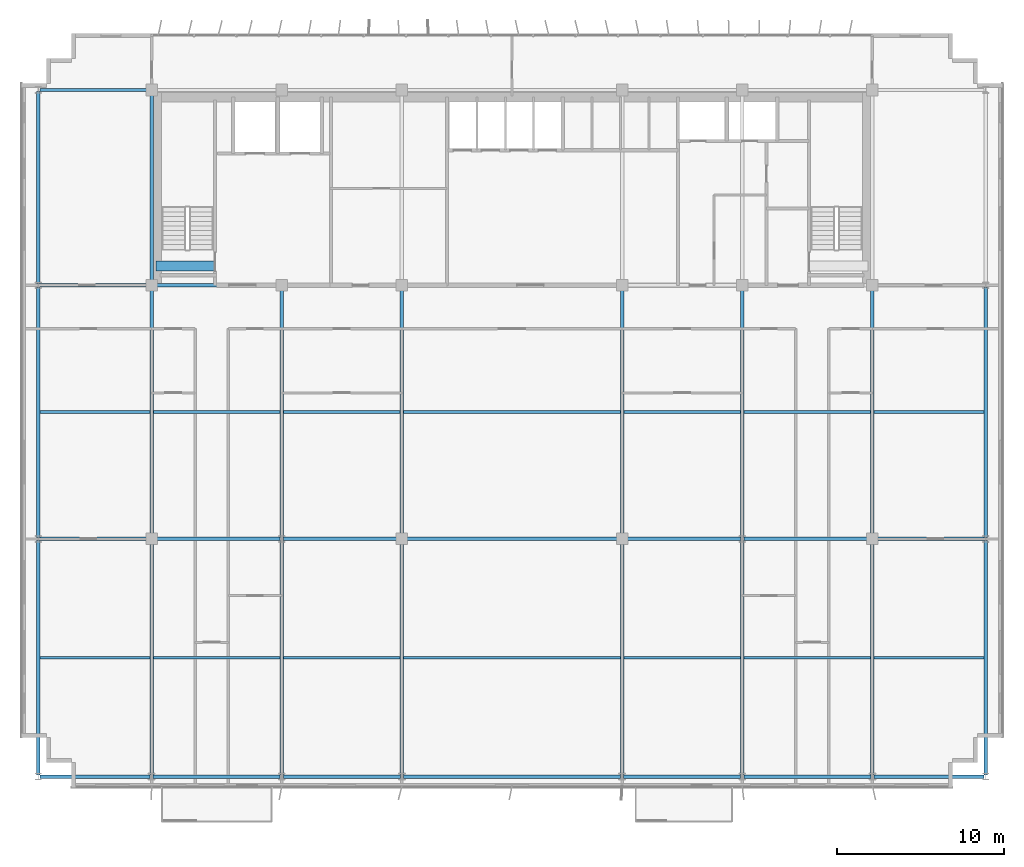
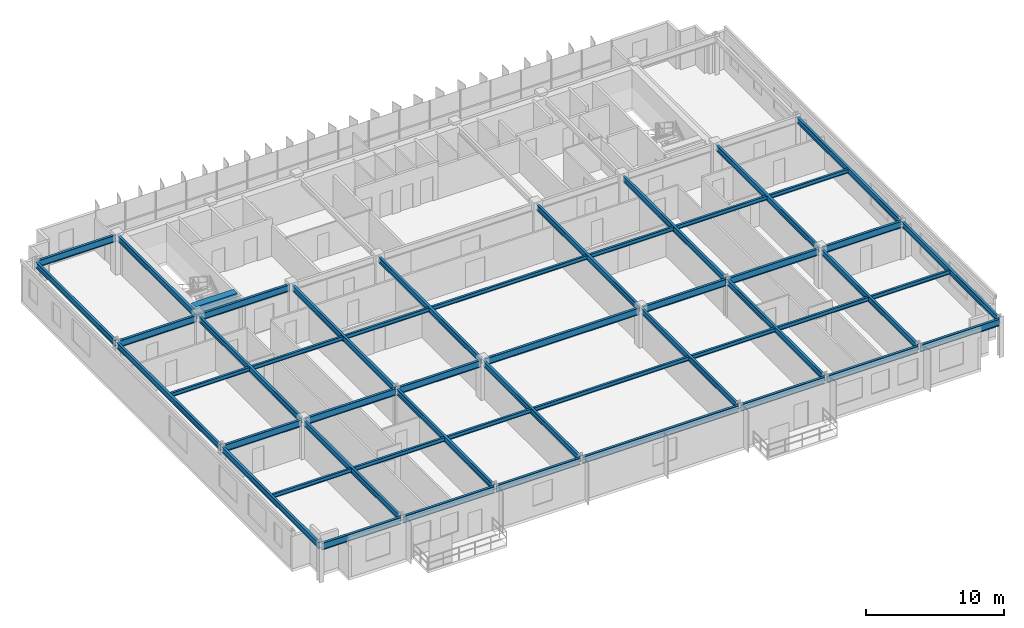
# One storey, part 3 of 20: 50 beams.
"""IFC4 building model written with IfcOpenShell, lengths in metres."""

from ifc_helpers import new_model, si_unit, direction, frame, origin, origin_2d, place, context, subcontext, project, spatial, rectangle, i_section, extrude, source, transform, mapped, material, material_profile, profile_set, type_object, element, save


model = new_model("IFC4")

# Units and contexts
model_context = context("Model", 3, precision=1e-05, world=origin(), true_north=direction((0.0, 1.0)))
body_context = subcontext(model_context, "Body", "Model", "MODEL_VIEW")
ifc_project = project(units=[si_unit("LENGTHUNIT", "METRE"), si_unit("AREAUNIT", "SQUARE_METRE"), si_unit("VOLUMEUNIT", "CUBIC_METRE"), si_unit("PLANEANGLEUNIT", "RADIAN"), si_unit("MASSUNIT", "GRAM", prefix="KILO")], contexts=[model_context])

# Site, building, storey
site_placement = place(None, origin())
site = spatial("IfcSite", under=ifc_project, at=site_placement, CompositionType="ELEMENT")
building_placement = place(site_placement, origin())
building = spatial("IfcBuilding", under=site, at=building_placement, Name="Trelvane Seafront Commons", CompositionType="ELEMENT")
storey_placement = place(building_placement, frame((0.0, 0.0, 146.5)))
storey = spatial("IfcBuildingStorey", under=building, at=storey_placement, Name="L38", CompositionType="ELEMENT", Elevation=146.5)

# Beams
ifc_material_1 = material(Name="Concrete C60/75", Category="concrete")
ifc_material_profile_1 = material_profile(ifc_material_1, rectangle(XDim=0.60009765625, YDim=0.89990234375, at=origin_2d()), Name="RC-600x900")
ifc_profile_set_1 = profile_set([ifc_material_profile_1], Name="Concrete C60/75")
beam_type_1 = type_object("IfcBeamType", Name="STR-LNT-RC600x900", PredefinedType="LINTEL", material=ifc_profile_set_1)
shared_shape_1 = source(origin(), body_context, "Body", "SweptSolid", [
    extrude(rectangle(XDim=0.60009765625, YDim=0.89990234375, at=origin_2d()), origin(), (0.0, 0.0, 1.0), 3.5498046875),
])
beam_1_placement = place(storey_placement, frame((15.85009765625, 34.550048828125, 2.89990234375), z_axis=(1.0, 0.0, 0.0), x_axis=(0.0, 1.0, 0.0)))
element("IfcBeam", 1, at=beam_1_placement, inside=storey, type_object=beam_type_1, Name="L38 Core Coupling Lintel Beam CB-67", PredefinedType="LINTEL", context=body_context, shape_type="MappedRepresentation", body=[
    mapped(shared_shape_1, transform((0.0, 0.0, 0.0), x_axis=(1.0, 0.0, 0.0), y_axis=(0.0, 1.0, 0.0), z_axis=(0.0, 0.0, 1.0), scale=1.0)),
])
ifc_material_2 = material(Name="Steel SM355 (S355)", Category="steel")
ifc_material_profile_2 = material_profile(ifc_material_2, i_section(OverallWidth=0.199951171875, OverallDepth=0.5, WebThickness=0.010009765625, FlangeThickness=0.01611328125, at=origin_2d()), Name="H-500x200x10x16")
ifc_profile_set_2 = profile_set([ifc_material_profile_2], Name="Steel SM355 (S355)")
beam_type_2 = type_object("IfcBeamType", Name="STR-BM-H500", PredefinedType="BEAM", material=ifc_profile_set_2)
shared_shape_2 = source(origin(), body_context, "Body", "SweptSolid", [
    extrude(i_section(OverallWidth=0.199951171875, OverallDepth=0.5, WebThickness=0.010009765625, FlangeThickness=0.01611328125, at=origin_2d()), origin(), (0.0, 0.0, 1.0), 14.89990234375),
])
for number, where, z_axis, x_axis, name in (
    (2, (15.60009765625, 18.35009765625, 3.10009765625), (0.0, 1.0, 0.0), (-1.0, 0.0, 0.0), "L38 Primary Girder G-33"),
    (3, (30.60009765625, 18.35009765625, 3.10009765625), (0.0, 1.0, 0.0), (-1.0, 0.0, 0.0), "L38 Primary Girder G-39"),
    (4, (43.800048828125, 18.35009765625, 3.10009765625), (0.0, 1.0, 0.0), (-1.0, 0.0, 0.0), "L38 Primary Girder G-42"),
    (5, (58.800048828125, 18.35009765625, 3.10009765625), (0.0, 1.0, 0.0), (-1.0, 0.0, 0.0), "L38 Primary Girder G-48"),
):
    element("IfcBeam", number, at=place(storey_placement, frame(where, z_axis=z_axis, x_axis=x_axis)), inside=storey, type_object=beam_type_2, Name=name, PredefinedType="BEAM", context=body_context, shape_type="MappedRepresentation", body=[
        mapped(shared_shape_2, transform((0.0, 0.0, 0.0), x_axis=(1.0, 0.0, 0.0), y_axis=(0.0, 1.0, 0.0), z_axis=(0.0, 0.0, 1.0), scale=1.0)),
    ])
shared_shape_3 = source(origin(), body_context, "Body", "SweptSolid", [
    extrude(i_section(OverallWidth=0.199951171875, OverallDepth=0.5, WebThickness=0.010009765625, FlangeThickness=0.01611328125, at=origin_2d()), origin(), (0.0, 0.0, 1.0), 11.39990234375),
])
beam_2_placement = place(storey_placement, frame((15.60009765625, 33.550048828125, 3.10009765625), z_axis=(0.0, 1.0, 0.0), x_axis=(-1.0, 0.0, 0.0)))
element("IfcBeam", 6, at=beam_2_placement, inside=storey, type_object=beam_type_2, Name="L38 Primary Girder G-34", PredefinedType="BEAM", context=body_context, shape_type="MappedRepresentation", body=[
    mapped(shared_shape_3, transform((0.0, 0.0, 0.0), x_axis=(1.0, 0.0, 0.0), y_axis=(0.0, 1.0, 0.0), z_axis=(0.0, 0.0, 1.0), scale=1.0)),
])
ifc_material_profile_3 = material_profile(ifc_material_2, i_section(OverallWidth=0.175048828125, OverallDepth=0.35009765625, WebThickness=0.007080078125, FlangeThickness=0.010986328125, at=origin_2d()), Name="H-350x175x7x11")
ifc_profile_set_3 = profile_set([ifc_material_profile_3], Name="Steel SM355 (S355)")
beam_type_3 = type_object("IfcBeamType", Name="STR-JST-H350", PredefinedType="JOIST", material=ifc_profile_set_3)
shared_shape_4 = source(origin(), body_context, "Body", "SweptSolid", [
    extrude(i_section(OverallWidth=0.175048828125, OverallDepth=0.35009765625, WebThickness=0.007080078125, FlangeThickness=0.010986328125, at=origin_2d()), origin(), (0.0, 0.0, 1.0), 6.60009765625),
])
for number, where, z_axis, x_axis, name in (
    (7, (8.89990234375, 11.074951171875, 3.175048828125), (1.0, 0.0, 0.0), (0.0, 1.0, 0.0), "L38 Secondary Floor Joist B-53"),
    (8, (58.89990234375, 11.074951171875, 3.175048828125), (1.0, 0.0, 0.0), (0.0, 1.0, 0.0), "L38 Secondary Floor Joist B-59"),
    (9, (8.89990234375, 25.800048828125, 3.175048828125), (1.0, 0.0, 0.0), (0.0, 1.0, 0.0), "L38 Secondary Floor Joist B-60"),
    (10, (58.89990234375, 25.800048828125, 3.175048828125), (1.0, 0.0, 0.0), (0.0, 1.0, 0.0), "L38 Secondary Floor Joist B-66"),
):
    element("IfcBeam", number, at=place(storey_placement, frame(where, z_axis=z_axis, x_axis=x_axis)), inside=storey, type_object=beam_type_3, Name=name, PredefinedType="JOIST", context=body_context, shape_type="MappedRepresentation", body=[
        mapped(shared_shape_4, transform((0.0, 0.0, 0.0), x_axis=(1.0, 0.0, 0.0), y_axis=(0.0, 1.0, 0.0), z_axis=(0.0, 0.0, 1.0), scale=1.0)),
    ])
shared_shape_5 = source(origin(), body_context, "Body", "SweptSolid", [
    extrude(i_section(OverallWidth=0.175048828125, OverallDepth=0.35009765625, WebThickness=0.007080078125, FlangeThickness=0.010986328125, at=origin_2d()), origin(), (0.0, 0.0, 1.0), 7.60009765625),
])
for number, where, z_axis, x_axis, name in (
    (11, (15.699951171875, 11.074951171875, 3.175048828125), (1.0, 0.0, 0.0), (0.0, 1.0, 0.0), "L38 Secondary Floor Joist B-54"),
    (12, (15.699951171875, 25.800048828125, 3.175048828125), (1.0, 0.0, 0.0), (0.0, 1.0, 0.0), "L38 Secondary Floor Joist B-61"),
):
    element("IfcBeam", number, at=place(storey_placement, frame(where, z_axis=z_axis, x_axis=x_axis)), inside=storey, type_object=beam_type_3, Name=name, PredefinedType="JOIST", context=body_context, shape_type="MappedRepresentation", body=[
        mapped(shared_shape_5, transform((0.0, 0.0, 0.0), x_axis=(1.0, 0.0, 0.0), y_axis=(0.0, 1.0, 0.0), z_axis=(0.0, 0.0, 1.0), scale=1.0)),
    ])
shared_shape_6 = source(origin(), body_context, "Body", "SweptSolid", [
    extrude(i_section(OverallWidth=0.175048828125, OverallDepth=0.35009765625, WebThickness=0.007080078125, FlangeThickness=0.010986328125, at=origin_2d()), origin(), (0.0, 0.0, 1.0), 7.0),
])
for number, where, z_axis, x_axis, name in (
    (13, (23.5, 11.074951171875, 3.175048828125), (1.0, 0.0, 0.0), (0.0, 1.0, 0.0), "L38 Secondary Floor Joist B-55"),
    (14, (43.89990234375, 11.074951171875, 3.175048828125), (1.0, 0.0, 0.0), (0.0, 1.0, 0.0), "L38 Secondary Floor Joist B-57"),
    (15, (23.5, 25.800048828125, 3.175048828125), (1.0, 0.0, 0.0), (0.0, 1.0, 0.0), "L38 Secondary Floor Joist B-62"),
    (16, (43.89990234375, 25.800048828125, 3.175048828125), (1.0, 0.0, 0.0), (0.0, 1.0, 0.0), "L38 Secondary Floor Joist B-64"),
):
    element("IfcBeam", number, at=place(storey_placement, frame(where, z_axis=z_axis, x_axis=x_axis)), inside=storey, type_object=beam_type_3, Name=name, PredefinedType="JOIST", context=body_context, shape_type="MappedRepresentation", body=[
        mapped(shared_shape_6, transform((0.0, 0.0, 0.0), x_axis=(1.0, 0.0, 0.0), y_axis=(0.0, 1.0, 0.0), z_axis=(0.0, 0.0, 1.0), scale=1.0)),
    ])
shared_shape_7 = source(origin(), body_context, "Body", "SweptSolid", [
    extrude(i_section(OverallWidth=0.175048828125, OverallDepth=0.35009765625, WebThickness=0.007080078125, FlangeThickness=0.010986328125, at=origin_2d()), origin(), (0.0, 0.0, 1.0), 13.0),
])
for number, where, z_axis, x_axis, name in (
    (17, (30.699951171875, 11.074951171875, 3.175048828125), (1.0, 0.0, 0.0), (0.0, 1.0, 0.0), "L38 Secondary Floor Joist B-56"),
    (18, (30.699951171875, 25.800048828125, 3.175048828125), (1.0, 0.0, 0.0), (0.0, 1.0, 0.0), "L38 Secondary Floor Joist B-63"),
):
    element("IfcBeam", number, at=place(storey_placement, frame(where, z_axis=z_axis, x_axis=x_axis)), inside=storey, type_object=beam_type_3, Name=name, PredefinedType="JOIST", context=body_context, shape_type="MappedRepresentation", body=[
        mapped(shared_shape_7, transform((0.0, 0.0, 0.0), x_axis=(1.0, 0.0, 0.0), y_axis=(0.0, 1.0, 0.0), z_axis=(0.0, 0.0, 1.0), scale=1.0)),
    ])
shared_shape_8 = source(origin(), body_context, "Body", "SweptSolid", [
    extrude(i_section(OverallWidth=0.175048828125, OverallDepth=0.35009765625, WebThickness=0.007080078125, FlangeThickness=0.010986328125, at=origin_2d()), origin(), (0.0, 0.0, 1.0), 7.599853515625),
])
for number, where, z_axis, x_axis, name in (
    (19, (51.10009765625, 11.074951171875, 3.175048828125), (1.0, 0.0, 0.0), (0.0, 1.0, 0.0), "L38 Secondary Floor Joist B-58"),
    (20, (51.10009765625, 25.800048828125, 3.175048828125), (1.0, 0.0, 0.0), (0.0, 1.0, 0.0), "L38 Secondary Floor Joist B-65"),
):
    element("IfcBeam", number, at=place(storey_placement, frame(where, z_axis=z_axis, x_axis=x_axis)), inside=storey, type_object=beam_type_3, Name=name, PredefinedType="JOIST", context=body_context, shape_type="MappedRepresentation", body=[
        mapped(shared_shape_8, transform((0.0, 0.0, 0.0), x_axis=(1.0, 0.0, 0.0), y_axis=(0.0, 1.0, 0.0), z_axis=(0.0, 0.0, 1.0), scale=1.0)),
    ])
ifc_material_profile_4 = material_profile(ifc_material_2, i_section(OverallWidth=0.199951171875, OverallDepth=0.60009765625, WebThickness=0.010986328125, FlangeThickness=0.01708984375, at=origin_2d()), Name="H-600x200x11x17")
ifc_profile_set_4 = profile_set([ifc_material_profile_4], Name="Steel SM355 (S355)")
beam_type_4 = type_object("IfcBeamType", Name="STR-SPD-H600", PredefinedType="SPANDREL", material=ifc_profile_set_4)
shared_shape_9 = source(origin(), body_context, "Body", "SweptSolid", [
    extrude(i_section(OverallWidth=0.199951171875, OverallDepth=0.60009765625, WebThickness=0.010986328125, FlangeThickness=0.01708984375, at=origin_2d()), origin(), (0.0, 0.0, 1.0), 6.60986328125),
])
for number, where, z_axis, x_axis, name in (
    (21, (8.89501953125, 3.949951171875, 3.050048828125), (1.0, 0.0, 0.0), (0.0, 1.0, 0.0), "L38 Primary Girder G-01"),
    (22, (58.89501953125, 3.949951171875, 3.050048828125), (1.0, 0.0, 0.0), (0.0, 1.0, 0.0), "L38 Primary Girder G-07"),
):
    element("IfcBeam", number, at=place(storey_placement, frame(where, z_axis=z_axis, x_axis=x_axis)), inside=storey, type_object=beam_type_4, Name=name, PredefinedType="SPANDREL", context=body_context, shape_type="MappedRepresentation", body=[
        mapped(shared_shape_9, transform((0.0, 0.0, 0.0), x_axis=(1.0, 0.0, 0.0), y_axis=(0.0, 1.0, 0.0), z_axis=(0.0, 0.0, 1.0), scale=1.0)),
    ])
shared_shape_10 = source(origin(), body_context, "Body", "SweptSolid", [
    extrude(i_section(OverallWidth=0.199951171875, OverallDepth=0.60009765625, WebThickness=0.010986328125, FlangeThickness=0.01708984375, at=origin_2d()), origin(), (0.0, 0.0, 1.0), 7.60986328125),
])
beam_3_placement = place(storey_placement, frame((15.695068359375, 3.949951171875, 3.050048828125), z_axis=(1.0, 0.0, 0.0), x_axis=(0.0, 1.0, 0.0)))
element("IfcBeam", 23, at=beam_3_placement, inside=storey, type_object=beam_type_4, Name="L38 Primary Girder G-02", PredefinedType="SPANDREL", context=body_context, shape_type="MappedRepresentation", body=[
    mapped(shared_shape_10, transform((0.0, 0.0, 0.0), x_axis=(1.0, 0.0, 0.0), y_axis=(0.0, 1.0, 0.0), z_axis=(0.0, 0.0, 1.0), scale=1.0)),
])
shared_shape_11 = source(origin(), body_context, "Body", "SweptSolid", [
    extrude(i_section(OverallWidth=0.199951171875, OverallDepth=0.60009765625, WebThickness=0.010986328125, FlangeThickness=0.01708984375, at=origin_2d()), origin(), (0.0, 0.0, 1.0), 7.009765625),
])
beam_4_placement = place(storey_placement, frame((23.4951171875, 3.949951171875, 3.050048828125), z_axis=(1.0, 0.0, 0.0), x_axis=(0.0, 1.0, 0.0)))
element("IfcBeam", 24, at=beam_4_placement, inside=storey, type_object=beam_type_4, Name="L38 Primary Girder G-03", PredefinedType="SPANDREL", context=body_context, shape_type="MappedRepresentation", body=[
    mapped(shared_shape_11, transform((0.0, 0.0, 0.0), x_axis=(1.0, 0.0, 0.0), y_axis=(0.0, 1.0, 0.0), z_axis=(0.0, 0.0, 1.0), scale=1.0)),
])
shared_shape_12 = source(origin(), body_context, "Body", "SweptSolid", [
    extrude(i_section(OverallWidth=0.199951171875, OverallDepth=0.60009765625, WebThickness=0.010986328125, FlangeThickness=0.01708984375, at=origin_2d()), origin(), (0.0, 0.0, 1.0), 13.010009765625),
])
beam_5_placement = place(storey_placement, frame((30.695068359375, 3.949951171875, 3.050048828125), z_axis=(1.0, 0.0, 0.0), x_axis=(0.0, 1.0, 0.0)))
element("IfcBeam", 25, at=beam_5_placement, inside=storey, type_object=beam_type_4, Name="L38 Primary Girder G-04", PredefinedType="SPANDREL", context=body_context, shape_type="MappedRepresentation", body=[
    mapped(shared_shape_12, transform((0.0, 0.0, 0.0), x_axis=(1.0, 0.0, 0.0), y_axis=(0.0, 1.0, 0.0), z_axis=(0.0, 0.0, 1.0), scale=1.0)),
])
shared_shape_13 = source(origin(), body_context, "Body", "SweptSolid", [
    extrude(i_section(OverallWidth=0.199951171875, OverallDepth=0.60009765625, WebThickness=0.010986328125, FlangeThickness=0.01708984375, at=origin_2d()), origin(), (0.0, 0.0, 1.0), 7.010009765625),
])
beam_6_placement = place(storey_placement, frame((43.89501953125, 3.949951171875, 3.050048828125), z_axis=(1.0, 0.0, 0.0), x_axis=(0.0, 1.0, 0.0)))
element("IfcBeam", 26, at=beam_6_placement, inside=storey, type_object=beam_type_4, Name="L38 Primary Girder G-05", PredefinedType="SPANDREL", context=body_context, shape_type="MappedRepresentation", body=[
    mapped(shared_shape_13, transform((0.0, 0.0, 0.0), x_axis=(1.0, 0.0, 0.0), y_axis=(0.0, 1.0, 0.0), z_axis=(0.0, 0.0, 1.0), scale=1.0)),
])
shared_shape_14 = source(origin(), body_context, "Body", "SweptSolid", [
    extrude(i_section(OverallWidth=0.199951171875, OverallDepth=0.60009765625, WebThickness=0.010986328125, FlangeThickness=0.01708984375, at=origin_2d()), origin(), (0.0, 0.0, 1.0), 7.610107421875),
])
beam_7_placement = place(storey_placement, frame((51.094970703125, 3.949951171875, 3.050048828125), z_axis=(1.0, 0.0, 0.0), x_axis=(0.0, 1.0, 0.0)))
element("IfcBeam", 27, at=beam_7_placement, inside=storey, type_object=beam_type_4, Name="L38 Primary Girder G-06", PredefinedType="SPANDREL", context=body_context, shape_type="MappedRepresentation", body=[
    mapped(shared_shape_14, transform((0.0, 0.0, 0.0), x_axis=(1.0, 0.0, 0.0), y_axis=(0.0, 1.0, 0.0), z_axis=(0.0, 0.0, 1.0), scale=1.0)),
])
shared_shape_15 = source(origin(), body_context, "Body", "SweptSolid", [
    extrude(i_section(OverallWidth=0.199951171875, OverallDepth=0.60009765625, WebThickness=0.010986328125, FlangeThickness=0.01708984375, at=origin_2d()), origin(), (0.0, 0.0, 1.0), 6.554931640625),
])
for number, where, z_axis, x_axis, name in (
    (28, (8.89501953125, 18.199951171875, 3.050048828125), (1.0, 0.0, 0.0), (0.0, 1.0, 0.0), "L38 Primary Girder G-08"),
    (29, (58.949951171875, 18.199951171875, 3.050048828125), (1.0, 0.0, 0.0), (0.0, 1.0, 0.0), "L38 Primary Girder G-14"),
    (30, (8.89501953125, 33.39990234375, 3.050048828125), (1.0, 0.0, 0.0), (0.0, 1.0, 0.0), "L38 Primary Girder G-15"),
    (31, (8.89501953125, 45.10009765625, 3.050048828125), (1.0, 0.0, 0.0), (0.0, 1.0, 0.0), "L38 Primary Girder G-22"),
):
    element("IfcBeam", number, at=place(storey_placement, frame(where, z_axis=z_axis, x_axis=x_axis)), inside=storey, type_object=beam_type_4, Name=name, PredefinedType="SPANDREL", context=body_context, shape_type="MappedRepresentation", body=[
        mapped(shared_shape_15, transform((0.0, 0.0, 0.0), x_axis=(1.0, 0.0, 0.0), y_axis=(0.0, 1.0, 0.0), z_axis=(0.0, 0.0, 1.0), scale=1.0)),
    ])
shared_shape_16 = source(origin(), body_context, "Body", "SweptSolid", [
    extrude(i_section(OverallWidth=0.199951171875, OverallDepth=0.60009765625, WebThickness=0.010986328125, FlangeThickness=0.01708984375, at=origin_2d()), origin(), (0.0, 0.0, 1.0), 7.554931640625),
])
for number, where, z_axis, x_axis, name in (
    (32, (15.75, 18.199951171875, 3.050048828125), (1.0, 0.0, 0.0), (0.0, 1.0, 0.0), "L38 Primary Girder G-09"),
    (33, (51.094970703125, 18.199951171875, 3.050048828125), (1.0, 0.0, 0.0), (0.0, 1.0, 0.0), "L38 Primary Girder G-13"),
):
    element("IfcBeam", number, at=place(storey_placement, frame(where, z_axis=z_axis, x_axis=x_axis)), inside=storey, type_object=beam_type_4, Name=name, PredefinedType="SPANDREL", context=body_context, shape_type="MappedRepresentation", body=[
        mapped(shared_shape_16, transform((0.0, 0.0, 0.0), x_axis=(1.0, 0.0, 0.0), y_axis=(0.0, 1.0, 0.0), z_axis=(0.0, 0.0, 1.0), scale=1.0)),
    ])
shared_shape_17 = source(origin(), body_context, "Body", "SweptSolid", [
    extrude(i_section(OverallWidth=0.199951171875, OverallDepth=0.60009765625, WebThickness=0.010986328125, FlangeThickness=0.01708984375, at=origin_2d()), origin(), (0.0, 0.0, 1.0), 6.954833984375),
])
beam_8_placement = place(storey_placement, frame((23.4951171875, 18.199951171875, 3.050048828125), z_axis=(1.0, 0.0, 0.0), x_axis=(0.0, 1.0, 0.0)))
element("IfcBeam", 34, at=beam_8_placement, inside=storey, type_object=beam_type_4, Name="L38 Primary Girder G-10", PredefinedType="SPANDREL", context=body_context, shape_type="MappedRepresentation", body=[
    mapped(shared_shape_17, transform((0.0, 0.0, 0.0), x_axis=(1.0, 0.0, 0.0), y_axis=(0.0, 1.0, 0.0), z_axis=(0.0, 0.0, 1.0), scale=1.0)),
])
shared_shape_18 = source(origin(), body_context, "Body", "SweptSolid", [
    extrude(i_section(OverallWidth=0.199951171875, OverallDepth=0.60009765625, WebThickness=0.010986328125, FlangeThickness=0.01708984375, at=origin_2d()), origin(), (0.0, 0.0, 1.0), 12.89990234375),
])
beam_9_placement = place(storey_placement, frame((30.75, 18.199951171875, 3.050048828125), z_axis=(1.0, 0.0, 0.0), x_axis=(0.0, 1.0, 0.0)))
element("IfcBeam", 35, at=beam_9_placement, inside=storey, type_object=beam_type_4, Name="L38 Primary Girder G-11", PredefinedType="SPANDREL", context=body_context, shape_type="MappedRepresentation", body=[
    mapped(shared_shape_18, transform((0.0, 0.0, 0.0), x_axis=(1.0, 0.0, 0.0), y_axis=(0.0, 1.0, 0.0), z_axis=(0.0, 0.0, 1.0), scale=1.0)),
])
shared_shape_19 = source(origin(), body_context, "Body", "SweptSolid", [
    extrude(i_section(OverallWidth=0.199951171875, OverallDepth=0.60009765625, WebThickness=0.010986328125, FlangeThickness=0.01708984375, at=origin_2d()), origin(), (0.0, 0.0, 1.0), 6.955078125),
])
beam_10_placement = place(storey_placement, frame((43.949951171875, 18.199951171875, 3.050048828125), z_axis=(1.0, 0.0, 0.0), x_axis=(0.0, 1.0, 0.0)))
element("IfcBeam", 36, at=beam_10_placement, inside=storey, type_object=beam_type_4, Name="L38 Primary Girder G-12", PredefinedType="SPANDREL", context=body_context, shape_type="MappedRepresentation", body=[
    mapped(shared_shape_19, transform((0.0, 0.0, 0.0), x_axis=(1.0, 0.0, 0.0), y_axis=(0.0, 1.0, 0.0), z_axis=(0.0, 0.0, 1.0), scale=1.0)),
])
shared_shape_20 = source(origin(), body_context, "Body", "SweptSolid", [
    extrude(i_section(OverallWidth=0.199951171875, OverallDepth=0.60009765625, WebThickness=0.010986328125, FlangeThickness=0.01708984375, at=origin_2d()), origin(), (0.0, 0.0, 1.0), 7.5),
])
beam_11_placement = place(storey_placement, frame((15.75, 33.39990234375, 3.050048828125), z_axis=(1.0, 0.0, 0.0), x_axis=(0.0, 1.0, 0.0)))
element("IfcBeam", 37, at=beam_11_placement, inside=storey, type_object=beam_type_4, Name="L38 Primary Girder G-16", PredefinedType="SPANDREL", context=body_context, shape_type="MappedRepresentation", body=[
    mapped(shared_shape_20, transform((0.0, 0.0, 0.0), x_axis=(1.0, 0.0, 0.0), y_axis=(0.0, 1.0, 0.0), z_axis=(0.0, 0.0, 1.0), scale=1.0)),
])
shared_shape_21 = source(origin(), body_context, "Body", "SweptSolid", [
    extrude(i_section(OverallWidth=0.199951171875, OverallDepth=0.5, WebThickness=0.010009765625, FlangeThickness=0.01611328125, at=origin_2d()), origin(), (0.0, 0.0, 1.0), 14.06005859375),
])
for number, where, z_axis, x_axis, name in (
    (38, (8.800048828125, 4.044921875, 3.10009765625), (0.0, 1.0, 0.0), (-1.0, 0.0, 0.0), "L38 Primary Girder G-29"),
    (39, (23.39990234375, 4.044921875, 3.10009765625), (0.0, 1.0, 0.0), (-1.0, 0.0, 0.0), "L38 Primary Girder G-35"),
    (40, (51.0, 4.044921875, 3.10009765625), (0.0, 1.0, 0.0), (-1.0, 0.0, 0.0), "L38 Primary Girder G-44"),
    (41, (65.60009765625, 4.044921875, 3.10009765625), (0.0, 1.0, 0.0), (-1.0, 0.0, 0.0), "L38 Primary Girder G-50"),
):
    element("IfcBeam", number, at=place(storey_placement, frame(where, z_axis=z_axis, x_axis=x_axis)), inside=storey, type_object=beam_type_2, Name=name, PredefinedType="BEAM", context=body_context, shape_type="MappedRepresentation", body=[
        mapped(shared_shape_21, transform((0.0, 0.0, 0.0), x_axis=(1.0, 0.0, 0.0), y_axis=(0.0, 1.0, 0.0), z_axis=(0.0, 0.0, 1.0), scale=1.0)),
    ])
shared_shape_22 = source(origin(), body_context, "Body", "SweptSolid", [
    extrude(i_section(OverallWidth=0.199951171875, OverallDepth=0.5, WebThickness=0.010009765625, FlangeThickness=0.01611328125, at=origin_2d()), origin(), (0.0, 0.0, 1.0), 15.010009765625),
])
for number, where, z_axis, x_axis, name in (
    (42, (8.800048828125, 18.294921875, 3.10009765625), (0.0, 1.0, 0.0), (-1.0, 0.0, 0.0), "L38 Primary Girder G-30"),
    (43, (65.60009765625, 18.294921875, 3.10009765625), (0.0, 1.0, 0.0), (-1.0, 0.0, 0.0), "L38 Primary Girder G-51"),
):
    element("IfcBeam", number, at=place(storey_placement, frame(where, z_axis=z_axis, x_axis=x_axis)), inside=storey, type_object=beam_type_2, Name=name, PredefinedType="BEAM", context=body_context, shape_type="MappedRepresentation", body=[
        mapped(shared_shape_22, transform((0.0, 0.0, 0.0), x_axis=(1.0, 0.0, 0.0), y_axis=(0.0, 1.0, 0.0), z_axis=(0.0, 0.0, 1.0), scale=1.0)),
    ])
shared_shape_23 = source(origin(), body_context, "Body", "SweptSolid", [
    extrude(i_section(OverallWidth=0.199951171875, OverallDepth=0.5, WebThickness=0.010009765625, FlangeThickness=0.01611328125, at=origin_2d()), origin(), (0.0, 0.0, 1.0), 11.509765625),
])
beam_12_placement = place(storey_placement, frame((8.800048828125, 33.4951171875, 3.10009765625), z_axis=(0.0, 1.0, 0.0), x_axis=(-1.0, 0.0, 0.0)))
element("IfcBeam", 44, at=beam_12_placement, inside=storey, type_object=beam_type_2, Name="L38 Primary Girder G-31", PredefinedType="BEAM", context=body_context, shape_type="MappedRepresentation", body=[
    mapped(shared_shape_23, transform((0.0, 0.0, 0.0), x_axis=(1.0, 0.0, 0.0), y_axis=(0.0, 1.0, 0.0), z_axis=(0.0, 0.0, 1.0), scale=1.0)),
])
shared_shape_24 = source(origin(), body_context, "Body", "SweptSolid", [
    extrude(i_section(OverallWidth=0.199951171875, OverallDepth=0.5, WebThickness=0.010009765625, FlangeThickness=0.01611328125, at=origin_2d()), origin(), (0.0, 0.0, 1.0), 14.005126953125),
])
for number, where, z_axis, x_axis, name in (
    (45, (15.60009765625, 4.044921875, 3.10009765625), (0.0, 1.0, 0.0), (-1.0, 0.0, 0.0), "L38 Primary Girder G-32"),
    (46, (30.60009765625, 4.044921875, 3.10009765625), (0.0, 1.0, 0.0), (-1.0, 0.0, 0.0), "L38 Primary Girder G-38"),
    (47, (43.800048828125, 4.044921875, 3.10009765625), (0.0, 1.0, 0.0), (-1.0, 0.0, 0.0), "L38 Primary Girder G-41"),
    (48, (58.800048828125, 4.044921875, 3.10009765625), (0.0, 1.0, 0.0), (-1.0, 0.0, 0.0), "L38 Primary Girder G-47"),
):
    element("IfcBeam", number, at=place(storey_placement, frame(where, z_axis=z_axis, x_axis=x_axis)), inside=storey, type_object=beam_type_2, Name=name, PredefinedType="BEAM", context=body_context, shape_type="MappedRepresentation", body=[
        mapped(shared_shape_24, transform((0.0, 0.0, 0.0), x_axis=(1.0, 0.0, 0.0), y_axis=(0.0, 1.0, 0.0), z_axis=(0.0, 0.0, 1.0), scale=1.0)),
    ])
shared_shape_25 = source(origin(), body_context, "Body", "SweptSolid", [
    extrude(i_section(OverallWidth=0.199951171875, OverallDepth=0.5, WebThickness=0.010009765625, FlangeThickness=0.01611328125, at=origin_2d()), origin(), (0.0, 0.0, 1.0), 14.955078125),
])
for number, where, z_axis, x_axis, name in (
    (49, (23.39990234375, 18.294921875, 3.10009765625), (0.0, 1.0, 0.0), (-1.0, 0.0, 0.0), "L38 Primary Girder G-36"),
    (50, (51.0, 18.294921875, 3.10009765625), (0.0, 1.0, 0.0), (-1.0, 0.0, 0.0), "L38 Primary Girder G-45"),
):
    element("IfcBeam", number, at=place(storey_placement, frame(where, z_axis=z_axis, x_axis=x_axis)), inside=storey, type_object=beam_type_2, Name=name, PredefinedType="BEAM", context=body_context, shape_type="MappedRepresentation", body=[
        mapped(shared_shape_25, transform((0.0, 0.0, 0.0), x_axis=(1.0, 0.0, 0.0), y_axis=(0.0, 1.0, 0.0), z_axis=(0.0, 0.0, 1.0), scale=1.0)),
    ])

save(model, "model.ifc")
